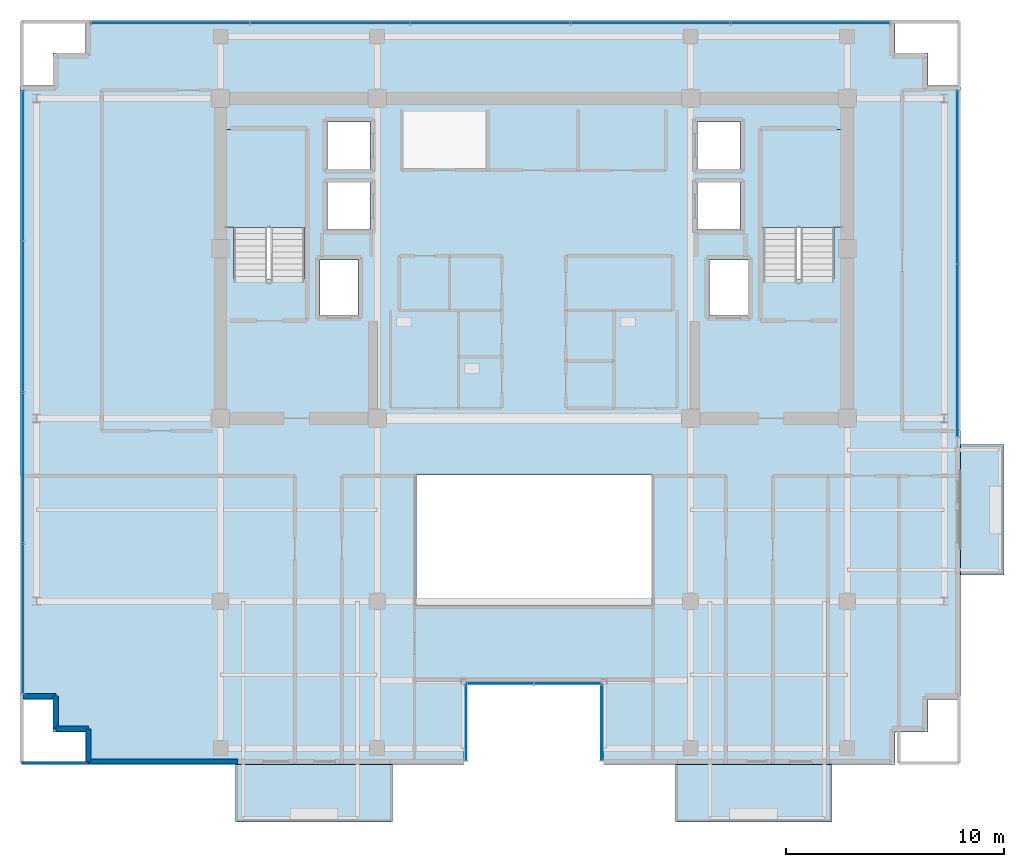
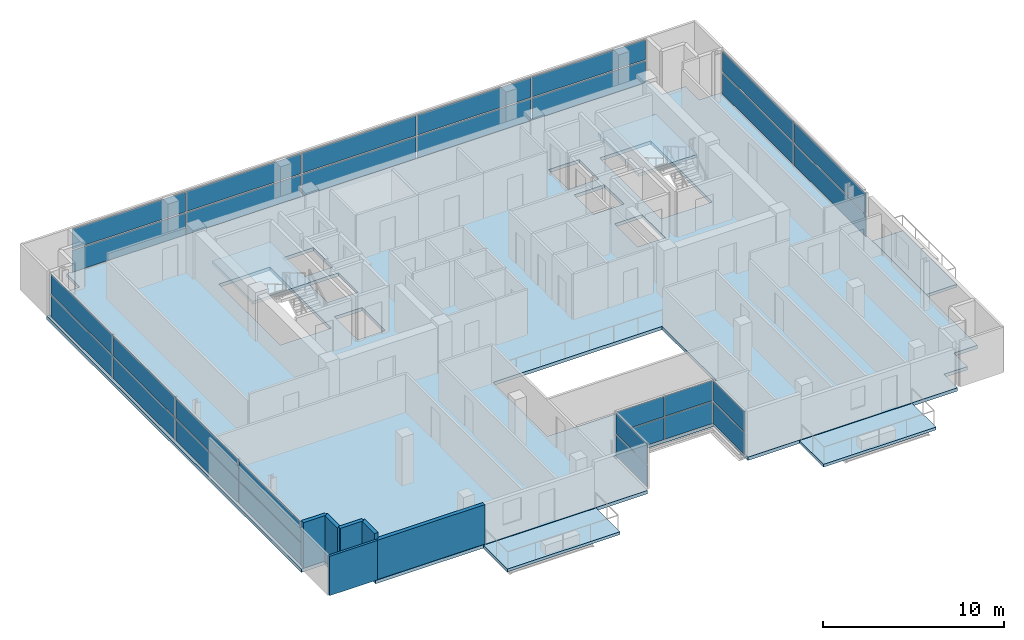
# One storey, part 15 of 22: 30 plates, 6 slabs, 6 walls, 8 elements without a shape of their own.
"""IFC4 building model written with IfcOpenShell, lengths in metres."""

from ifc_helpers import new_model, si_unit, direction, frame, frame_2d, origin, origin_2d, place, context, subcontext, project, spatial, polyline, rectangle, outline, extrude, source, transform, mapped, material, layer, layer_set, type_object, element, aggregate, save


model = new_model("IFC4")

# Units and contexts
model_context = context("Model", 3, precision=1e-05, world=origin(), true_north=direction((0.0, 1.0)))
body_context = subcontext(model_context, "Body", "Model", "MODEL_VIEW")
ifc_project = project(units=[si_unit("LENGTHUNIT", "METRE"), si_unit("AREAUNIT", "SQUARE_METRE"), si_unit("VOLUMEUNIT", "CUBIC_METRE"), si_unit("PLANEANGLEUNIT", "RADIAN"), si_unit("MASSUNIT", "GRAM", prefix="KILO")], contexts=[model_context])

# Site, building, storey
site_placement = place(None, origin())
site = spatial("IfcSite", under=ifc_project, at=site_placement, CompositionType="ELEMENT")
building_placement = place(site_placement, origin())
building = spatial("IfcBuilding", under=site, at=building_placement, Name="Zarnakvel Exchange Tower", CompositionType="ELEMENT")
storey_placement = place(building_placement, frame((0.0, 0.0, 225.39990234375)))
storey = spatial("IfcBuildingStorey", under=building, at=storey_placement, Name="L63", CompositionType="ELEMENT", Elevation=225.39990234375)

# Stair, slab
ifc_material_1 = material(Name="Concrete C40/50", Category="concrete")
stair_type = type_object("IfcStairType", Name="STR-01", PredefinedType="HALF_TURN_STAIR", material=ifc_material_1)
stair_1_placement = place(storey_placement, origin())
stair_1 = element("IfcStair", 1, at=stair_1_placement, inside=storey, type_object=stair_type, Name="L63 Protected Core Exit Stair ST-01", PredefinedType="HALF_TURN_STAIR")
ifc_layer_1 = layer(ifc_material_1, 0.199951171875)
ifc_layer_set_1 = layer_set([ifc_layer_1], Name="Concrete C40/50")
slab_type_1 = type_object("IfcSlabType", Name="LDG-01", PredefinedType="LANDING", material=ifc_layer_set_1)
slab_1_placement = place(storey_placement, frame((0.0, 0.0, 1.4501953125)))
slab_1 = element("IfcSlab", 2, at=slab_1_placement, type_object=slab_type_1, Name="ST-01 landing 1", PredefinedType="LANDING", context=body_context, shape_type="SweptSolid", body=[
    extrude(outline(polyline([(-14.18994140625, 7.570068359375), (-10.4599609375, 7.570068359375), (-10.4599609375, 12.080078125), (-14.18994140625, 12.080078125), (-14.18994140625, 7.570068359375)])), origin(), (0.0, 0.0, 1.0), 0.199951171875),
])
aggregate(stair_1, [slab_1])

stair_2_placement = place(storey_placement, origin())
stair_2 = element("IfcStair", 3, at=stair_2_placement, inside=storey, type_object=stair_type, Name="L63 Protected Core Exit Stair ST-02", PredefinedType="HALF_TURN_STAIR")
slab_2_placement = place(storey_placement, frame((0.0, 0.0, 1.4501953125)))
slab_2 = element("IfcSlab", 4, at=slab_2_placement, type_object=slab_type_1, Name="ST-02 landing 1", PredefinedType="LANDING", context=body_context, shape_type="SweptSolid", body=[
    extrude(outline(polyline([(10.4599609375, 7.570068359375), (14.18994140625, 7.570068359375), (14.18994140625, 12.080078125), (10.4599609375, 12.080078125), (10.4599609375, 7.570068359375)])), origin(), (0.0, 0.0, 1.0), 0.199951171875),
])
aggregate(stair_2, [slab_2])

# Slabs
ifc_layer_2 = layer(ifc_material_1, 0.22509765625)
ifc_layer_set_2 = layer_set([ifc_layer_2], Name="Concrete C40/50")
slab_type_2 = type_object("IfcSlabType", Name="SL-04", PredefinedType="FLOOR", material=ifc_layer_set_2)
slab_3_placement = place(storey_placement, frame((0.0, 0.0, -0.224853515625)))
element("IfcSlab", 5, at=slab_3_placement, inside=storey, type_object=slab_type_2, Name="L63 Primary Structural Floor Slab", PredefinedType="FLOOR", context=body_context, shape_type="SweptSolid", body=[
    extrude(outline(polyline([(-23.60009765625, -14.10009765625), (-22.10009765625, -14.10009765625), (-22.10009765625, -15.60009765625), (-20.60009765625, -15.60009765625), (-20.60009765625, -17.10009765625), (-3.199951171875, -17.10009765625), (-3.199951171875, -13.300048828125), (3.199951171875, -13.300048828125), (3.199951171875, -17.10009765625), (16.60009765625, -17.10009765625), (16.60009765625, -15.60009765625), (18.10009765625, -15.60009765625), (18.10009765625, -14.10009765625), (19.60009765625, -14.10009765625), (19.60009765625, 14.10009765625), (18.10009765625, 14.10009765625), (18.10009765625, 15.60009765625), (16.60009765625, 15.60009765625), (16.60009765625, 17.10009765625), (-20.60009765625, 17.10009765625), (-20.60009765625, 15.60009765625), (-22.10009765625, 15.60009765625), (-22.10009765625, 14.10009765625), (-23.60009765625, 14.10009765625), (-23.60009765625, -14.10009765625)]), holes=[polyline([(-5.39990234375, -9.800048828125), (5.39990234375, -9.800048828125), (5.39990234375, -3.800048828125), (-5.39990234375, -3.800048828125), (-5.39990234375, -9.800048828125)]), polyline([(-13.800048828125, 5.2099609375), (-10.5400390625, 5.2099609375), (-10.5400390625, 12.0), (-13.800048828125, 12.0), (-13.800048828125, 5.2099609375)]), polyline([(10.5400390625, 5.2099609375), (13.800048828125, 5.2099609375), (13.800048828125, 12.0), (10.5400390625, 12.0), (10.5400390625, 5.2099609375)]), polyline([(-9.830078125, 3.52001953125), (-8.070068359375, 3.52001953125), (-8.070068359375, 6.080078125), (-9.830078125, 6.080078125), (-9.830078125, 3.52001953125)]), polyline([(8.070068359375, 3.52001953125), (9.830078125, 3.52001953125), (9.830078125, 6.080078125), (8.070068359375, 6.080078125), (8.070068359375, 3.52001953125)]), polyline([(-9.47998046875, 7.469970703125), (-7.52001953125, 7.469970703125), (-7.52001953125, 9.6298828125), (-9.47998046875, 9.6298828125), (-9.47998046875, 7.469970703125)]), polyline([(-9.47998046875, 10.27001953125), (-7.52001953125, 10.27001953125), (-7.52001953125, 12.429931640625), (-9.47998046875, 12.429931640625), (-9.47998046875, 10.27001953125)]), polyline([(7.52001953125, 7.469970703125), (9.47998046875, 7.469970703125), (9.47998046875, 9.6298828125), (7.52001953125, 9.6298828125), (7.52001953125, 7.469970703125)]), polyline([(7.52001953125, 10.27001953125), (9.47998046875, 10.27001953125), (9.47998046875, 12.429931640625), (7.52001953125, 12.429931640625), (7.52001953125, 10.27001953125)])]), origin(), (0.0, 0.0, 1.0), 0.224853515625),
])
ifc_layer_3 = layer(ifc_material_1, 0.18994140625)
ifc_layer_set_3 = layer_set([ifc_layer_3], Name="Concrete C40/50")
slab_type_3 = type_object("IfcSlabType", Name="SL-08", PredefinedType="USERDEFINED", material=ifc_layer_set_3)
slab_4_placement = place(storey_placement, frame((0.0, 0.0, -0.224853515625)))
element("IfcSlab", 6, at=slab_4_placement, inside=storey, type_object=slab_type_3, Name="L63 Planted Loggia Balcony Slab BAL-L63-SW", ObjectType="BALCONY", PredefinedType="USERDEFINED", context=body_context, shape_type="SweptSolid", body=[
    extrude(outline(polyline([(-13.699951171875, -19.75), (-6.5, -19.75), (-6.5, -17.10009765625), (-13.699951171875, -17.10009765625), (-13.699951171875, -19.75)])), origin(), (0.0, 0.0, 1.0), 0.18994140625),
])
slab_5_placement = place(storey_placement, frame((0.0, 0.0, -0.224853515625)))
element("IfcSlab", 7, at=slab_5_placement, inside=storey, type_object=slab_type_3, Name="L63 Planted Loggia Balcony Slab BAL-L63-SE", ObjectType="BALCONY", PredefinedType="USERDEFINED", context=body_context, shape_type="SweptSolid", body=[
    extrude(outline(polyline([(6.5, -19.75), (13.699951171875, -19.75), (13.699951171875, -17.10009765625), (6.5, -17.10009765625), (6.5, -19.75)])), origin(), (0.0, 0.0, 1.0), 0.18994140625),
])
slab_6_placement = place(storey_placement, frame((0.0, 0.0, -0.224853515625)))
element("IfcSlab", 8, at=slab_6_placement, inside=storey, type_object=slab_type_3, Name="L63 Planted Loggia Balcony Slab BAL-L63-E", ObjectType="BALCONY", PredefinedType="USERDEFINED", context=body_context, shape_type="SweptSolid", body=[
    extrude(outline(polyline([(19.60009765625, -8.39990234375), (21.60009765625, -8.39990234375), (21.60009765625, -2.39990234375), (19.60009765625, -2.39990234375), (19.60009765625, -8.39990234375)])), origin(), (0.0, 0.0, 1.0), 0.18994140625),
])

# Curtain wall, plate
ifc_material_2 = material(Name="Architectural Bronze Anodised Aluminium", Category="aluminium")
ifc_layer_4 = layer(ifc_material_2, 0.179931640625)
ifc_layer_set_4 = layer_set([ifc_layer_4], Name="Architectural Bronze Anodised Aluminium")
curtain_wall_type_1 = type_object("IfcCurtainWallType", Name="CW-05", PredefinedType="NOTDEFINED", material=ifc_layer_set_4)
curtain_wall_1_placement = place(storey_placement, origin())
curtain_wall_1 = element("IfcCurtainWall", 9, at=curtain_wall_1_placement, inside=storey, type_object=curtain_wall_type_1, Name="L63 Curtain Wall CW-L63-SLW (CW-05)", PredefinedType="NOTDEFINED")
ifc_material_3 = material(Name="Double Low-E Laminated Vision Glass", Category="glass")
ifc_layer_5 = layer(ifc_material_3, 0.02587890625)
ifc_layer_set_5 = layer_set([ifc_layer_5], Name="Double Low-E Laminated Vision Glass")
plate_type_1 = type_object("IfcPlateType", Name="CWP-05", PredefinedType="CURTAIN_PANEL", material=ifc_layer_set_5)
shared_shape_1 = source(origin(), body_context, "Body", "SweptSolid", [
    extrude(rectangle(XDim=3.4599609375, YDim=0.02587890625, at=origin_2d()), origin(), (0.0, 0.0, 1.0), 1.483642578125),
])
plate_1_placement = place(storey_placement, frame((-3.1201171875, -15.179931640625, 0.0703125), z_axis=(0.0, 0.0, 1.0), x_axis=(0.0, 1.0, 0.0)))
plate_1 = element("IfcPlate", 10, at=plate_1_placement, type_object=plate_type_1, Name="CW-05 panel 1.1", PredefinedType="CURTAIN_PANEL", context=body_context, shape_type="MappedRepresentation", body=[
    mapped(shared_shape_1, transform((0.0, 0.0, 0.0), x_axis=(1.0, 0.0, 0.0), y_axis=(0.0, 1.0, 0.0), z_axis=(0.0, 0.0, 1.0), scale=1.0)),
])

curtain_wall_2_placement = place(storey_placement, origin())
curtain_wall_2 = element("IfcCurtainWall", 11, at=curtain_wall_2_placement, inside=storey, type_object=curtain_wall_type_1, Name="L63 Curtain Wall CW-L63-SLE (CW-05)", PredefinedType="NOTDEFINED")
plate_2_placement = place(storey_placement, frame((3.1201171875, -15.179931640625, 0.0703125), z_axis=(0.0, 0.0, 1.0), x_axis=(0.0, -1.0, 0.0)))
plate_2 = element("IfcPlate", 12, at=plate_2_placement, type_object=plate_type_1, Name="CW-05 panel 1.1", PredefinedType="CURTAIN_PANEL", context=body_context, shape_type="MappedRepresentation", body=[
    mapped(shared_shape_1, transform((0.0, 0.0, 0.0), x_axis=(1.0, 0.0, 0.0), y_axis=(0.0, 1.0, 0.0), z_axis=(0.0, 0.0, 1.0), scale=1.0)),
])

# Plate
shared_shape_2 = source(origin(), body_context, "Body", "SweptSolid", [
    extrude(rectangle(XDim=3.4599609375, YDim=0.02587890625, at=origin_2d()), origin(), (0.0, 0.0, 1.0), 1.361328125),
])
plate_3_placement = place(storey_placement, frame((-3.1201171875, -15.179931640625, 1.623779296875), z_axis=(0.0, 0.0, 1.0), x_axis=(0.0, 1.0, 0.0)))
plate_3 = element("IfcPlate", 13, at=plate_3_placement, type_object=plate_type_1, Name="CW-05 panel 1.2", PredefinedType="CURTAIN_PANEL", context=body_context, shape_type="MappedRepresentation", body=[
    mapped(shared_shape_2, transform((0.0, 0.0, 0.0), x_axis=(1.0, 0.0, 0.0), y_axis=(0.0, 1.0, 0.0), z_axis=(0.0, 0.0, 1.0), scale=1.0)),
])

aggregate(curtain_wall_1, [plate_1, plate_3])

plate_4_placement = place(storey_placement, frame((3.1201171875, -15.179931640625, 1.623779296875), z_axis=(0.0, 0.0, 1.0), x_axis=(0.0, -1.0, 0.0)))
plate_4 = element("IfcPlate", 14, at=plate_4_placement, type_object=plate_type_1, Name="CW-05 panel 1.2", PredefinedType="CURTAIN_PANEL", context=body_context, shape_type="MappedRepresentation", body=[
    mapped(shared_shape_2, transform((0.0, 0.0, 0.0), x_axis=(1.0, 0.0, 0.0), y_axis=(0.0, 1.0, 0.0), z_axis=(0.0, 0.0, 1.0), scale=1.0)),
])

aggregate(curtain_wall_2, [plate_2, plate_4])

# Curtain wall, plates
curtain_wall_3_placement = place(storey_placement, origin())
curtain_wall_3 = element("IfcCurtainWall", 15, at=curtain_wall_3_placement, inside=storey, type_object=curtain_wall_type_1, Name="L63 Curtain Wall CW-L63-SLB (CW-05)", PredefinedType="NOTDEFINED")
shared_shape_3 = source(origin(), body_context, "Body", "SweptSolid", [
    extrude(rectangle(XDim=3.014892578125, YDim=0.02587890625, at=origin_2d()), origin(), (0.0, 0.0, 1.0), 1.483642578125),
])
plate_5_placement = place(storey_placement, frame((-1.54248046875, -13.3798828125, 0.0703125), z_axis=(0.0, 0.0, 1.0), x_axis=(1.0, 0.0, 0.0)))
plate_5 = element("IfcPlate", 16, at=plate_5_placement, type_object=plate_type_1, Name="CW-05 panel 1.1", PredefinedType="CURTAIN_PANEL", context=body_context, shape_type="MappedRepresentation", body=[
    mapped(shared_shape_3, transform((0.0, 0.0, 0.0), x_axis=(1.0, 0.0, 0.0), y_axis=(0.0, 1.0, 0.0), z_axis=(0.0, 0.0, 1.0), scale=1.0)),
])
plate_6_placement = place(storey_placement, frame((1.54248046875, -13.3798828125, 0.0703125), z_axis=(0.0, 0.0, 1.0), x_axis=(1.0, 0.0, 0.0)))
plate_6 = element("IfcPlate", 17, at=plate_6_placement, type_object=plate_type_1, Name="CW-05 panel 2.1", PredefinedType="CURTAIN_PANEL", context=body_context, shape_type="MappedRepresentation", body=[
    mapped(shared_shape_3, transform((0.0, 0.0, 0.0), x_axis=(1.0, 0.0, 0.0), y_axis=(0.0, 1.0, 0.0), z_axis=(0.0, 0.0, 1.0), scale=1.0)),
])
shared_shape_4 = source(origin(), body_context, "Body", "SweptSolid", [
    extrude(rectangle(XDim=3.014892578125, YDim=0.02587890625, at=origin_2d()), origin(), (0.0, 0.0, 1.0), 1.361328125),
])
plate_7_placement = place(storey_placement, frame((-1.54248046875, -13.3798828125, 1.623779296875), z_axis=(0.0, 0.0, 1.0), x_axis=(1.0, 0.0, 0.0)))
plate_7 = element("IfcPlate", 18, at=plate_7_placement, type_object=plate_type_1, Name="CW-05 panel 1.2", PredefinedType="CURTAIN_PANEL", context=body_context, shape_type="MappedRepresentation", body=[
    mapped(shared_shape_4, transform((0.0, 0.0, 0.0), x_axis=(1.0, 0.0, 0.0), y_axis=(0.0, 1.0, 0.0), z_axis=(0.0, 0.0, 1.0), scale=1.0)),
])
plate_8_placement = place(storey_placement, frame((1.54248046875, -13.3798828125, 1.623779296875), z_axis=(0.0, 0.0, 1.0), x_axis=(1.0, 0.0, 0.0)))
plate_8 = element("IfcPlate", 19, at=plate_8_placement, type_object=plate_type_1, Name="CW-05 panel 2.2", PredefinedType="CURTAIN_PANEL", context=body_context, shape_type="MappedRepresentation", body=[
    mapped(shared_shape_4, transform((0.0, 0.0, 0.0), x_axis=(1.0, 0.0, 0.0), y_axis=(0.0, 1.0, 0.0), z_axis=(0.0, 0.0, 1.0), scale=1.0)),
])
aggregate(curtain_wall_3, [plate_5, plate_7, plate_6, plate_8])

ifc_layer_6 = layer(ifc_material_2, 0.199951171875)
ifc_layer_set_6 = layer_set([ifc_layer_6], Name="Architectural Bronze Anodised Aluminium")
curtain_wall_type_2 = type_object("IfcCurtainWallType", Name="CW-04", PredefinedType="NOTDEFINED", material=ifc_layer_set_6)
curtain_wall_4_placement = place(storey_placement, origin())
curtain_wall_4 = element("IfcCurtainWall", 20, at=curtain_wall_4_placement, inside=storey, type_object=curtain_wall_type_2, Name="L63 Curtain Wall CW-L63-W1 (CW-04)", PredefinedType="NOTDEFINED")
ifc_layer_7 = layer(ifc_material_3, 0.028076171875)
ifc_layer_set_7 = layer_set([ifc_layer_7], Name="Double Low-E Laminated Vision Glass")
plate_type_2 = type_object("IfcPlateType", Name="CWP-04", PredefinedType="CURTAIN_PANEL", material=ifc_layer_set_7)
shared_shape_5 = source(origin(), body_context, "Body", "SweptSolid", [
    extrude(rectangle(XDim=6.83740234375, YDim=0.028076171875, at=origin_2d()), origin(), (0.0, 0.0, 1.0), 1.47607421875),
])
plate_9_placement = place(storey_placement, frame((-23.4599609375, -10.40625, 0.0751953125), z_axis=(0.0, 0.0, 1.0), x_axis=(0.0, 1.0, 0.0)))
plate_9 = element("IfcPlate", 21, at=plate_9_placement, type_object=plate_type_2, Name="CW-04 panel 1.1", PredefinedType="CURTAIN_PANEL", context=body_context, shape_type="MappedRepresentation", body=[
    mapped(shared_shape_5, transform((0.0, 0.0, 0.0), x_axis=(1.0, 0.0, 0.0), y_axis=(0.0, 1.0, 0.0), z_axis=(0.0, 0.0, 1.0), scale=1.0)),
])
plate_10_placement = place(storey_placement, frame((-23.4599609375, 10.40625, 0.0751953125), z_axis=(0.0, 0.0, 1.0), x_axis=(0.0, 1.0, 0.0)))
plate_10 = element("IfcPlate", 22, at=plate_10_placement, type_object=plate_type_2, Name="CW-04 panel 4.1", PredefinedType="CURTAIN_PANEL", context=body_context, shape_type="MappedRepresentation", body=[
    mapped(shared_shape_5, transform((0.0, 0.0, 0.0), x_axis=(1.0, 0.0, 0.0), y_axis=(0.0, 1.0, 0.0), z_axis=(0.0, 0.0, 1.0), scale=1.0)),
])
shared_shape_6 = source(origin(), body_context, "Body", "SweptSolid", [
    extrude(rectangle(XDim=6.83740234375, YDim=0.028076171875, at=origin_2d()), origin(), (0.0, 0.0, 1.0), 1.35400390625),
])
plate_11_placement = place(storey_placement, frame((-23.4599609375, -10.40625, 1.626220703125), z_axis=(0.0, 0.0, 1.0), x_axis=(0.0, 1.0, 0.0)))
plate_11 = element("IfcPlate", 23, at=plate_11_placement, type_object=plate_type_2, Name="CW-04 panel 1.2", PredefinedType="CURTAIN_PANEL", context=body_context, shape_type="MappedRepresentation", body=[
    mapped(shared_shape_6, transform((0.0, 0.0, 0.0), x_axis=(1.0, 0.0, 0.0), y_axis=(0.0, 1.0, 0.0), z_axis=(0.0, 0.0, 1.0), scale=1.0)),
])
plate_12_placement = place(storey_placement, frame((-23.4599609375, 10.40625, 1.626220703125), z_axis=(0.0, 0.0, 1.0), x_axis=(0.0, 1.0, 0.0)))
plate_12 = element("IfcPlate", 24, at=plate_12_placement, type_object=plate_type_2, Name="CW-04 panel 4.2", PredefinedType="CURTAIN_PANEL", context=body_context, shape_type="MappedRepresentation", body=[
    mapped(shared_shape_6, transform((0.0, 0.0, 0.0), x_axis=(1.0, 0.0, 0.0), y_axis=(0.0, 1.0, 0.0), z_axis=(0.0, 0.0, 1.0), scale=1.0)),
])
shared_shape_7 = source(origin(), body_context, "Body", "SweptSolid", [
    extrude(rectangle(XDim=6.875, YDim=0.028076171875, at=origin_2d()), origin(), (0.0, 0.0, 1.0), 1.47607421875),
])
plate_13_placement = place(storey_placement, frame((-23.4599609375, -3.47509765625, 0.0751953125), z_axis=(0.0, 0.0, 1.0), x_axis=(0.0, 1.0, 0.0)))
plate_13 = element("IfcPlate", 25, at=plate_13_placement, type_object=plate_type_2, Name="CW-04 panel 2.1", PredefinedType="CURTAIN_PANEL", context=body_context, shape_type="MappedRepresentation", body=[
    mapped(shared_shape_7, transform((0.0, 0.0, 0.0), x_axis=(1.0, 0.0, 0.0), y_axis=(0.0, 1.0, 0.0), z_axis=(0.0, 0.0, 1.0), scale=1.0)),
])
plate_14_placement = place(storey_placement, frame((-23.4599609375, 3.47509765625, 0.0751953125), z_axis=(0.0, 0.0, 1.0), x_axis=(0.0, 1.0, 0.0)))
plate_14 = element("IfcPlate", 26, at=plate_14_placement, type_object=plate_type_2, Name="CW-04 panel 3.1", PredefinedType="CURTAIN_PANEL", context=body_context, shape_type="MappedRepresentation", body=[
    mapped(shared_shape_7, transform((0.0, 0.0, 0.0), x_axis=(1.0, 0.0, 0.0), y_axis=(0.0, 1.0, 0.0), z_axis=(0.0, 0.0, 1.0), scale=1.0)),
])
shared_shape_8 = source(origin(), body_context, "Body", "SweptSolid", [
    extrude(rectangle(XDim=6.875, YDim=0.028076171875, at=origin_2d()), origin(), (0.0, 0.0, 1.0), 1.35400390625),
])
plate_15_placement = place(storey_placement, frame((-23.4599609375, -3.47509765625, 1.626220703125), z_axis=(0.0, 0.0, 1.0), x_axis=(0.0, 1.0, 0.0)))
plate_15 = element("IfcPlate", 27, at=plate_15_placement, type_object=plate_type_2, Name="CW-04 panel 2.2", PredefinedType="CURTAIN_PANEL", context=body_context, shape_type="MappedRepresentation", body=[
    mapped(shared_shape_8, transform((0.0, 0.0, 0.0), x_axis=(1.0, 0.0, 0.0), y_axis=(0.0, 1.0, 0.0), z_axis=(0.0, 0.0, 1.0), scale=1.0)),
])
plate_16_placement = place(storey_placement, frame((-23.4599609375, 3.47509765625, 1.626220703125), z_axis=(0.0, 0.0, 1.0), x_axis=(0.0, 1.0, 0.0)))
plate_16 = element("IfcPlate", 28, at=plate_16_placement, type_object=plate_type_2, Name="CW-04 panel 3.2", PredefinedType="CURTAIN_PANEL", context=body_context, shape_type="MappedRepresentation", body=[
    mapped(shared_shape_8, transform((0.0, 0.0, 0.0), x_axis=(1.0, 0.0, 0.0), y_axis=(0.0, 1.0, 0.0), z_axis=(0.0, 0.0, 1.0), scale=1.0)),
])
aggregate(curtain_wall_4, [plate_9, plate_11, plate_13, plate_15, plate_14, plate_16, plate_10, plate_12])

curtain_wall_5_placement = place(storey_placement, origin())
curtain_wall_5 = element("IfcCurtainWall", 29, at=curtain_wall_5_placement, inside=storey, type_object=curtain_wall_type_2, Name="L63 Curtain Wall CW-L63-EN (CW-04)", PredefinedType="NOTDEFINED")
shared_shape_9 = source(origin(), body_context, "Body", "SweptSolid", [
    extrude(rectangle(XDim=7.887451171875, YDim=0.028076171875, at=origin_2d()), origin(), (0.0, 0.0, 1.0), 1.47607421875),
])
plate_17_placement = place(storey_placement, frame((19.4599609375, 1.918701171875, 0.0751953125), z_axis=(0.0, 0.0, 1.0), x_axis=(0.0, 1.0, 0.0)))
plate_17 = element("IfcPlate", 30, at=plate_17_placement, type_object=plate_type_2, Name="CW-04 panel 1.1", PredefinedType="CURTAIN_PANEL", context=body_context, shape_type="MappedRepresentation", body=[
    mapped(shared_shape_9, transform((0.0, 0.0, 0.0), x_axis=(1.0, 0.0, 0.0), y_axis=(0.0, 1.0, 0.0), z_axis=(0.0, 0.0, 1.0), scale=1.0)),
])
plate_18_placement = place(storey_placement, frame((19.4599609375, 9.88134765625, 0.0751953125), z_axis=(0.0, 0.0, 1.0), x_axis=(0.0, 1.0, 0.0)))
plate_18 = element("IfcPlate", 31, at=plate_18_placement, type_object=plate_type_2, Name="CW-04 panel 2.1", PredefinedType="CURTAIN_PANEL", context=body_context, shape_type="MappedRepresentation", body=[
    mapped(shared_shape_9, transform((0.0, 0.0, 0.0), x_axis=(1.0, 0.0, 0.0), y_axis=(0.0, 1.0, 0.0), z_axis=(0.0, 0.0, 1.0), scale=1.0)),
])
shared_shape_10 = source(origin(), body_context, "Body", "SweptSolid", [
    extrude(rectangle(XDim=7.887451171875, YDim=0.028076171875, at=origin_2d()), origin(), (0.0, 0.0, 1.0), 1.35400390625),
])
plate_19_placement = place(storey_placement, frame((19.4599609375, 1.918701171875, 1.626220703125), z_axis=(0.0, 0.0, 1.0), x_axis=(0.0, 1.0, 0.0)))
plate_19 = element("IfcPlate", 32, at=plate_19_placement, type_object=plate_type_2, Name="CW-04 panel 1.2", PredefinedType="CURTAIN_PANEL", context=body_context, shape_type="MappedRepresentation", body=[
    mapped(shared_shape_10, transform((0.0, 0.0, 0.0), x_axis=(1.0, 0.0, 0.0), y_axis=(0.0, 1.0, 0.0), z_axis=(0.0, 0.0, 1.0), scale=1.0)),
])
plate_20_placement = place(storey_placement, frame((19.4599609375, 9.88134765625, 1.626220703125), z_axis=(0.0, 0.0, 1.0), x_axis=(0.0, 1.0, 0.0)))
plate_20 = element("IfcPlate", 33, at=plate_20_placement, type_object=plate_type_2, Name="CW-04 panel 2.2", PredefinedType="CURTAIN_PANEL", context=body_context, shape_type="MappedRepresentation", body=[
    mapped(shared_shape_10, transform((0.0, 0.0, 0.0), x_axis=(1.0, 0.0, 0.0), y_axis=(0.0, 1.0, 0.0), z_axis=(0.0, 0.0, 1.0), scale=1.0)),
])
aggregate(curtain_wall_5, [plate_17, plate_19, plate_18, plate_20])

ifc_layer_8 = layer(ifc_material_2, 0.219970703125)
ifc_layer_set_8 = layer_set([ifc_layer_8], Name="Architectural Bronze Anodised Aluminium")
curtain_wall_type_3 = type_object("IfcCurtainWallType", Name="CW-03", PredefinedType="NOTDEFINED", material=ifc_layer_set_8)
curtain_wall_6_placement = place(storey_placement, origin())
curtain_wall_6 = element("IfcCurtainWall", 34, at=curtain_wall_6_placement, inside=storey, type_object=curtain_wall_type_3, Name="L63 Curtain Wall CW-L63-N1 (CW-03)", PredefinedType="NOTDEFINED")
ifc_layer_9 = layer(ifc_material_3, 0.030029296875)
ifc_layer_set_9 = layer_set([ifc_layer_9], Name="Double Low-E Laminated Vision Glass")
plate_type_3 = type_object("IfcPlateType", Name="CWP-03", PredefinedType="CURTAIN_PANEL", material=ifc_layer_set_9)
shared_shape_11 = source(origin(), body_context, "Body", "SweptSolid", [
    extrude(rectangle(XDim=7.239990234375, YDim=0.030029296875, at=origin_2d()), origin(), (0.0, 0.0, 1.0), 1.468505859375),
])
plate_21_placement = place(storey_placement, frame((-16.699951171875, 16.9599609375, 0.080078125), z_axis=(0.0, 0.0, 1.0), x_axis=(1.0, 0.0, 0.0)))
plate_21 = element("IfcPlate", 35, at=plate_21_placement, type_object=plate_type_3, Name="CW-03 panel 1.1", PredefinedType="CURTAIN_PANEL", context=body_context, shape_type="MappedRepresentation", body=[
    mapped(shared_shape_11, transform((0.0, 0.0, 0.0), x_axis=(1.0, 0.0, 0.0), y_axis=(0.0, 1.0, 0.0), z_axis=(0.0, 0.0, 1.0), scale=1.0)),
])
plate_22_placement = place(storey_placement, frame((12.699951171875, 16.9599609375, 0.080078125), z_axis=(0.0, 0.0, 1.0), x_axis=(1.0, 0.0, 0.0)))
plate_22 = element("IfcPlate", 36, at=plate_22_placement, type_object=plate_type_3, Name="CW-03 panel 5.1", PredefinedType="CURTAIN_PANEL", context=body_context, shape_type="MappedRepresentation", body=[
    mapped(shared_shape_11, transform((0.0, 0.0, 0.0), x_axis=(1.0, 0.0, 0.0), y_axis=(0.0, 1.0, 0.0), z_axis=(0.0, 0.0, 1.0), scale=1.0)),
])
shared_shape_12 = source(origin(), body_context, "Body", "SweptSolid", [
    extrude(rectangle(XDim=7.239990234375, YDim=0.030029296875, at=origin_2d()), origin(), (0.0, 0.0, 1.0), 1.346435546875),
])
plate_23_placement = place(storey_placement, frame((-16.699951171875, 16.9599609375, 1.62890625), z_axis=(0.0, 0.0, 1.0), x_axis=(1.0, 0.0, 0.0)))
plate_23 = element("IfcPlate", 37, at=plate_23_placement, type_object=plate_type_3, Name="CW-03 panel 1.2", PredefinedType="CURTAIN_PANEL", context=body_context, shape_type="MappedRepresentation", body=[
    mapped(shared_shape_12, transform((0.0, 0.0, 0.0), x_axis=(1.0, 0.0, 0.0), y_axis=(0.0, 1.0, 0.0), z_axis=(0.0, 0.0, 1.0), scale=1.0)),
])
plate_24_placement = place(storey_placement, frame((12.699951171875, 16.9599609375, 1.62890625), z_axis=(0.0, 0.0, 1.0), x_axis=(1.0, 0.0, 0.0)))
plate_24 = element("IfcPlate", 38, at=plate_24_placement, type_object=plate_type_3, Name="CW-03 panel 5.2", PredefinedType="CURTAIN_PANEL", context=body_context, shape_type="MappedRepresentation", body=[
    mapped(shared_shape_12, transform((0.0, 0.0, 0.0), x_axis=(1.0, 0.0, 0.0), y_axis=(0.0, 1.0, 0.0), z_axis=(0.0, 0.0, 1.0), scale=1.0)),
])
shared_shape_13 = source(origin(), body_context, "Body", "SweptSolid", [
    extrude(rectangle(XDim=7.280029296875, YDim=0.030029296875, at=origin_2d()), origin(), (0.0, 0.0, 1.0), 1.468505859375),
])
plate_25_placement = place(storey_placement, frame((-9.360107421875, 16.9599609375, 0.080078125), z_axis=(0.0, 0.0, 1.0), x_axis=(1.0, 0.0, 0.0)))
plate_25 = element("IfcPlate", 39, at=plate_25_placement, type_object=plate_type_3, Name="CW-03 panel 2.1", PredefinedType="CURTAIN_PANEL", context=body_context, shape_type="MappedRepresentation", body=[
    mapped(shared_shape_13, transform((0.0, 0.0, 0.0), x_axis=(1.0, 0.0, 0.0), y_axis=(0.0, 1.0, 0.0), z_axis=(0.0, 0.0, 1.0), scale=1.0)),
])
plate_26_placement = place(storey_placement, frame((-2.0, 16.9599609375, 0.080078125), z_axis=(0.0, 0.0, 1.0), x_axis=(1.0, 0.0, 0.0)))
plate_26 = element("IfcPlate", 40, at=plate_26_placement, type_object=plate_type_3, Name="CW-03 panel 3.1", PredefinedType="CURTAIN_PANEL", context=body_context, shape_type="MappedRepresentation", body=[
    mapped(shared_shape_13, transform((0.0, 0.0, 0.0), x_axis=(1.0, 0.0, 0.0), y_axis=(0.0, 1.0, 0.0), z_axis=(0.0, 0.0, 1.0), scale=1.0)),
])
plate_27_placement = place(storey_placement, frame((5.360107421875, 16.9599609375, 0.080078125), z_axis=(0.0, 0.0, 1.0), x_axis=(1.0, 0.0, 0.0)))
plate_27 = element("IfcPlate", 41, at=plate_27_placement, type_object=plate_type_3, Name="CW-03 panel 4.1", PredefinedType="CURTAIN_PANEL", context=body_context, shape_type="MappedRepresentation", body=[
    mapped(shared_shape_13, transform((0.0, 0.0, 0.0), x_axis=(1.0, 0.0, 0.0), y_axis=(0.0, 1.0, 0.0), z_axis=(0.0, 0.0, 1.0), scale=1.0)),
])
shared_shape_14 = source(origin(), body_context, "Body", "SweptSolid", [
    extrude(rectangle(XDim=7.280029296875, YDim=0.030029296875, at=origin_2d()), origin(), (0.0, 0.0, 1.0), 1.346435546875),
])
plate_28_placement = place(storey_placement, frame((-9.360107421875, 16.9599609375, 1.62890625), z_axis=(0.0, 0.0, 1.0), x_axis=(1.0, 0.0, 0.0)))
plate_28 = element("IfcPlate", 42, at=plate_28_placement, type_object=plate_type_3, Name="CW-03 panel 2.2", PredefinedType="CURTAIN_PANEL", context=body_context, shape_type="MappedRepresentation", body=[
    mapped(shared_shape_14, transform((0.0, 0.0, 0.0), x_axis=(1.0, 0.0, 0.0), y_axis=(0.0, 1.0, 0.0), z_axis=(0.0, 0.0, 1.0), scale=1.0)),
])
plate_29_placement = place(storey_placement, frame((-2.0, 16.9599609375, 1.62890625), z_axis=(0.0, 0.0, 1.0), x_axis=(1.0, 0.0, 0.0)))
plate_29 = element("IfcPlate", 43, at=plate_29_placement, type_object=plate_type_3, Name="CW-03 panel 3.2", PredefinedType="CURTAIN_PANEL", context=body_context, shape_type="MappedRepresentation", body=[
    mapped(shared_shape_14, transform((0.0, 0.0, 0.0), x_axis=(1.0, 0.0, 0.0), y_axis=(0.0, 1.0, 0.0), z_axis=(0.0, 0.0, 1.0), scale=1.0)),
])
plate_30_placement = place(storey_placement, frame((5.360107421875, 16.9599609375, 1.62890625), z_axis=(0.0, 0.0, 1.0), x_axis=(1.0, 0.0, 0.0)))
plate_30 = element("IfcPlate", 44, at=plate_30_placement, type_object=plate_type_3, Name="CW-03 panel 4.2", PredefinedType="CURTAIN_PANEL", context=body_context, shape_type="MappedRepresentation", body=[
    mapped(shared_shape_14, transform((0.0, 0.0, 0.0), x_axis=(1.0, 0.0, 0.0), y_axis=(0.0, 1.0, 0.0), z_axis=(0.0, 0.0, 1.0), scale=1.0)),
])
aggregate(curtain_wall_6, [plate_21, plate_23, plate_25, plate_28, plate_26, plate_29, plate_27, plate_30, plate_22, plate_24])

# Walls
ifc_material_4 = material(Name="Precast concrete C40/50", Category="concrete")
ifc_layer_10 = layer(ifc_material_4, 0.239990234375)
ifc_layer_set_10 = layer_set([ifc_layer_10], Name="Precast concrete C40/50")
wall_type_1 = type_object("IfcWallType", Name="EW-02", PredefinedType="SOLIDWALL", material=ifc_layer_set_10)
wall_1_placement = place(storey_placement, frame((-20.4599609375, -16.9599609375, 0.0), z_axis=(0.0, 0.0, 1.0), x_axis=(1.0, 0.0, 0.0)))
element("IfcWall", 45, at=wall_1_placement, inside=storey, type_object=wall_type_1, Name="L63 Exterior Precast Spandrel Wall EWC-L63-22 (EW-02)", PredefinedType="SOLIDWALL", context=body_context, shape_type="SweptSolid", body=[
    extrude(rectangle(XDim=6.85986328125, YDim=0.239990234375, at=frame_2d((3.429931640625, 0.0))), origin(), (0.0, 0.0, 1.0), 2.6650390625),
])
for number, where, z_axis, x_axis, name in (
    (46, (-20.4599609375, -15.4599609375, 0.0), (0.0, 0.0, 1.0), (0.0, -1.0, 0.0), "L63 Exterior Precast Spandrel Wall EWC-L63-23 (EW-02)"),
    (47, (-21.9599609375, -15.4599609375, 0.0), (0.0, 0.0, 1.0), (1.0, 0.0, 0.0), "L63 Exterior Precast Spandrel Wall EWC-L63-24 (EW-02)"),
    (48, (-21.9599609375, -13.9599609375, 0.0), (0.0, 0.0, 1.0), (0.0, -1.0, 0.0), "L63 Exterior Precast Spandrel Wall EWC-L63-25 (EW-02)"),
    (49, (-23.4599609375, -13.9599609375, 0.0), (0.0, 0.0, 1.0), (1.0, 0.0, 0.0), "L63 Exterior Precast Spandrel Wall EWC-L63-26 (EW-02)"),
):
    element("IfcWall", number, at=place(storey_placement, frame(where, z_axis=z_axis, x_axis=x_axis)), inside=storey, type_object=wall_type_1, Name=name, PredefinedType="SOLIDWALL", context=body_context, shape_type="SweptSolid", body=[
        extrude(rectangle(XDim=1.5, YDim=0.239990234375, at=frame_2d((0.75, 0.0))), origin(), (0.0, 0.0, 1.0), 3.0751953125),
    ])
ifc_material_5 = material(Name="Fire-Rated Gypsum Stud Partition", Category="gypsum")
ifc_layer_11 = layer(ifc_material_5, 0.14990234375)
ifc_layer_set_11 = layer_set([ifc_layer_11], Name="Fire-Rated Gypsum Stud Partition")
wall_type_2 = type_object("IfcWallType", Name="PT-01", PredefinedType="PARTITIONING", material=ifc_layer_set_11)
wall_2_placement = place(storey_placement, frame((-20.4599609375, -17.030029296875, 0.0), z_axis=(0.0, 0.0, 1.0), x_axis=(-1.0, 0.0, 0.0)))
element("IfcWall", 50, at=wall_2_placement, inside=storey, type_object=wall_type_2, Name="L63 Partition Wall PWALL-L63-044 (PT-01)", PredefinedType="PARTITIONING", context=body_context, shape_type="SweptSolid", body=[
    extrude(rectangle(XDim=3.070068359375, YDim=0.14990234375, at=frame_2d((1.53515625, 0.0))), origin(), (0.0, 0.0, 1.0), 2.6650390625),
])

save(model, "model.ifc")
